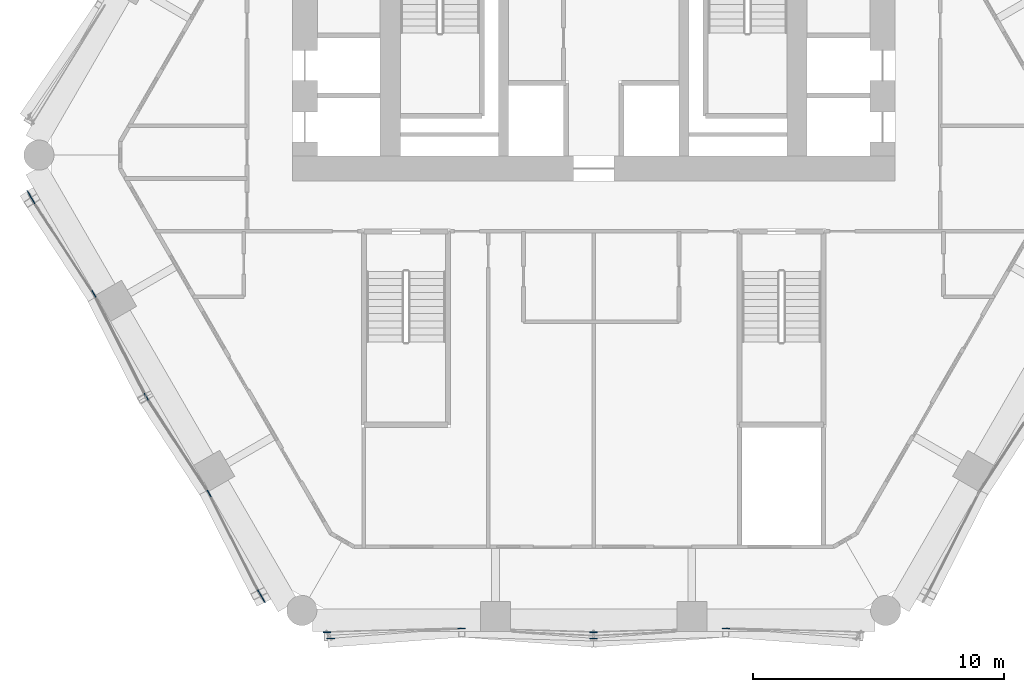
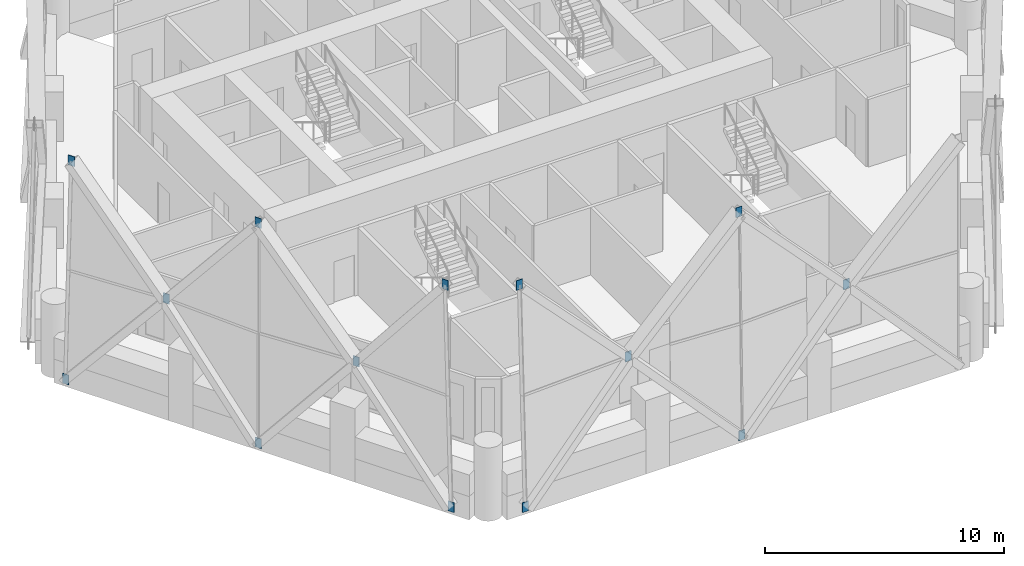
# One storey, part 17 of 21: 14 discrete accessories.
"""IFC4 building model written with IfcOpenShell, lengths in metres."""

from ifc_helpers import new_model, si_unit, direction, frame, origin, origin_2d, place, context, subcontext, project, spatial, rectangle, extrude, material, layer, layer_set, type_object, element, save


model = new_model("IFC4")

# Units and contexts
model_context = context("Model", 3, precision=1e-05, world=origin(), true_north=direction((0.0, 1.0)))
body_context = subcontext(model_context, "Body", "Model", "MODEL_VIEW")
ifc_project = project(units=[si_unit("LENGTHUNIT", "METRE"), si_unit("AREAUNIT", "SQUARE_METRE"), si_unit("VOLUMEUNIT", "CUBIC_METRE"), si_unit("PLANEANGLEUNIT", "RADIAN"), si_unit("MASSUNIT", "GRAM", prefix="KILO")], contexts=[model_context])

# Site, building, storey
site_placement = place(None, origin())
site = spatial("IfcSite", under=ifc_project, at=site_placement, CompositionType="ELEMENT")
building_placement = place(site_placement, origin())
building = spatial("IfcBuilding", under=site, at=building_placement, Name="Ostrander Bayou Hotel Tower", CompositionType="ELEMENT")
storey_placement = place(building_placement, frame((0.0, 0.0, 116.0)))
storey = spatial("IfcBuildingStorey", under=building, at=storey_placement, Name="L28", CompositionType="ELEMENT", Elevation=116.0)

# Discrete accessories
ifc_material = material(Name="Steel ASTM A572 Gr 50", Category="steel")
ifc_layer = layer(ifc_material, 0.030029296875)
ifc_layer_set = layer_set([ifc_layer], Name="GP1 gusset plate 30 mm")
discrete_accessory_type = type_object("IfcDiscreteAccessoryType", Name="GP1 gusset plate 30 mm", PredefinedType="BRACKET", material=ifc_layer_set)
for number, where, z_axis, x_axis, name in (
    (1, (-19.896240234375, -6.190185546875, 4.77490234375), (0.0, 0.0, 1.0), (0.5, -0.866025403784, 0.0), "GP1 gusset plate lat 160"),
    (2, (-22.47216796875, -2.217041015625, -0.85009765625), (0.0, 0.0, 1.0), (0.5, -0.866025403784, 0.0), "GP1 gusset plate lat 161"),
    (3, (-22.33056640625, -2.46240234375, 10.39990234375), (0.0, 0.0, 1.0), (0.5, -0.866025403784, 0.0), "GP1 gusset plate lat 162"),
    (4, (-17.814208984375, -10.284912109375, -0.85009765625), (0.0, 0.0, 1.0), (0.5, -0.866025403784, 0.0), "GP1 gusset plate lat 163"),
    (5, (-17.814208984375, -10.284912109375, 10.39990234375), (0.0, 0.0, 1.0), (0.5, -0.866025403784, 0.0), "GP1 gusset plate lat 164"),
    (6, (-15.30908203125, -14.135498046875, 4.77490234375), (0.0, 0.0, 1.0), (0.5, -0.866025403784, 0.0), "GP1 gusset plate lat 165"),
    (7, (-13.156005859375, -18.35302734375, -0.85009765625), (0.0, 0.0, 1.0), (0.5, -0.866025403784, 0.0), "GP1 gusset plate lat 166"),
    (8, (-13.2978515625, -18.107421875, 10.39990234375), (0.0, 0.0, 1.0), (0.5, -0.866025403784, 0.0), "GP1 gusset plate lat 167"),
    (9, (-5.269775390625, -19.50732421875, 4.77490234375), (0.0, 0.0, 1.0), (1.0, 0.0, 0.0), "GP1 gusset plate lat 168"),
    (10, (-10.46875, -19.904541015625, -0.85009765625), (0.0, 0.0, 1.0), (1.0, 0.0, 0.0), "GP1 gusset plate lat 169"),
    (11, (-10.610595703125, -19.658935546875, 10.39990234375), (0.0, 0.0, 1.0), (1.0, 0.0, 0.0), "GP1 gusset plate lat 170"),
    (12, (0.0, -19.904541015625, -0.85009765625), (0.0, 0.0, 1.0), (1.0, 0.0, 0.0), "GP1 gusset plate lat 171"),
    (13, (0.0, -19.658935546875, 10.39990234375), (0.0, 0.0, 1.0), (1.0, 0.0, 0.0), "GP1 gusset plate lat 172"),
    (14, (5.269775390625, -19.50732421875, 4.77490234375), (0.0, 0.0, 1.0), (1.0, 0.0, 0.0), "GP1 gusset plate lat 173"),
):
    element("IfcDiscreteAccessory", number, at=place(storey_placement, frame(where, z_axis=z_axis, x_axis=x_axis)), inside=storey, type_object=discrete_accessory_type, Name=name, PredefinedType="BRACKET", context=body_context, shape_type="SweptSolid", body=[
        extrude(rectangle(XDim=0.300048828125, YDim=0.030029296875, at=origin_2d()), origin(), (0.0, 0.0, 1.0), 0.5),
    ])

save(model, "model.ifc")
